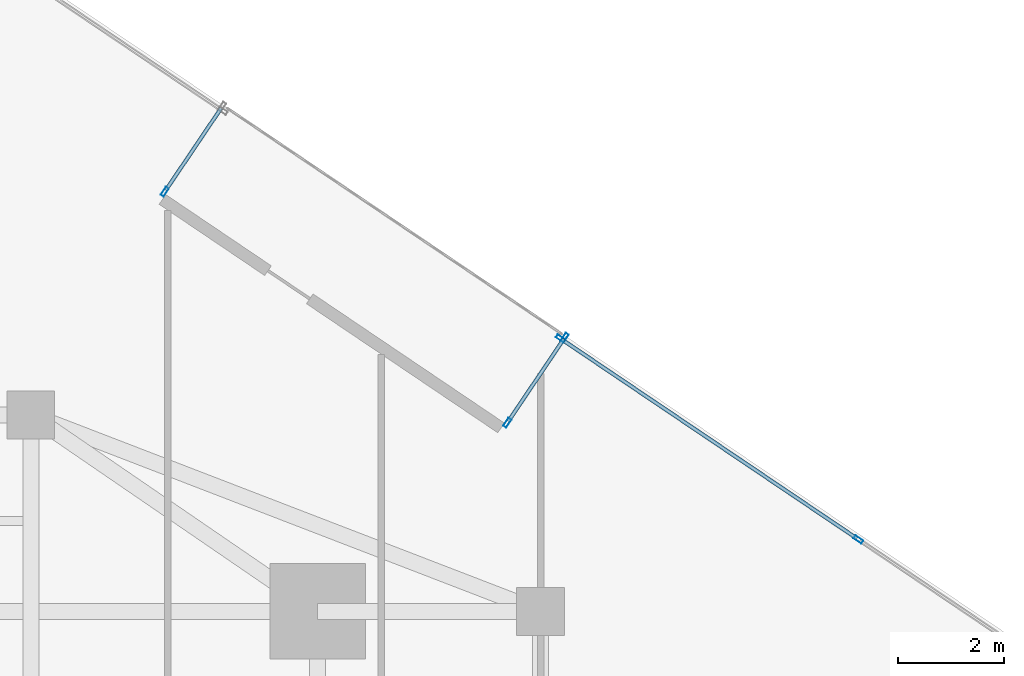
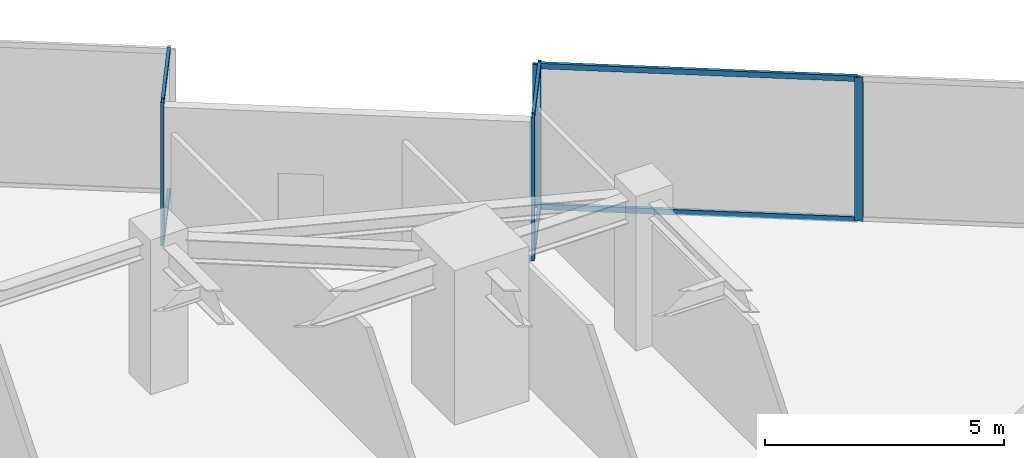
# One storey, part 19 of 27: 11 members, 3 elements without a shape of their own.
"""IFC4 building model written with IfcOpenShell, lengths in metres."""

from ifc_helpers import new_model, si_unit, direction, frame, origin, origin_2d, place, context, subcontext, project, spatial, hollow_rectangle, extrude, source, transform, mapped, material, material_profile, profile_set, type_object, type_shapes, element, aggregate, save


model = new_model("IFC4")

# Units and contexts
model_context = context("Model", 3, precision=1e-05, world=origin(), true_north=direction((0.0, 1.0)))
body_context = subcontext(model_context, "Body", "Model", "MODEL_VIEW")
ifc_project = project(units=[si_unit("LENGTHUNIT", "METRE"), si_unit("AREAUNIT", "SQUARE_METRE"), si_unit("VOLUMEUNIT", "CUBIC_METRE"), si_unit("PLANEANGLEUNIT", "RADIAN"), si_unit("MASSUNIT", "GRAM", prefix="KILO")], contexts=[model_context])

# Site, building, storey
site_placement = place(None, origin())
site = spatial("IfcSite", under=ifc_project, at=site_placement, CompositionType="ELEMENT")
building_placement = place(site_placement, origin())
building = spatial("IfcBuilding", under=site, at=building_placement, Name="Krantzveldt Concourse Tower", CompositionType="ELEMENT")
storey_placement = place(building_placement, frame((0.0, 0.0, 185.699951171875)))
storey = spatial("IfcBuildingStorey", under=building, at=storey_placement, Name="L45", CompositionType="ELEMENT", Elevation=185.699951171875)

# Curtain wall, members
ifc_material = material(Name="Anodised aluminium 6063-T6", Category="aluminium")
curtain_wall_type_1 = type_object("IfcCurtainWallType", Name="CW3", PredefinedType="USERDEFINED", material=ifc_material)
curtain_wall_1_placement = place(storey_placement, origin())
curtain_wall_1 = element("IfcCurtainWall", 1, at=curtain_wall_1_placement, inside=storey, type_object=curtain_wall_type_1, Name="CW-L45-F10", ObjectType="UNITISED CURTAIN WALL", PredefinedType="USERDEFINED")
ifc_material_profile_1 = material_profile(ifc_material, hollow_rectangle(XDim=0.070068359375, YDim=0.179931640625, WallThickness=0.0048828125, at=origin_2d()), Name="Anodised aluminium 6063-T6", Category="aluminium")
ifc_profile_set_1 = profile_set([ifc_material_profile_1], Name="Anodised aluminium 6063-T6 - ALU-MULL 180x70x5")
member_type_1 = type_object("IfcMemberType", Name="CW-MUL-180", PredefinedType="MULLION", material=ifc_profile_set_1)
shared_shape_1 = source(origin(), body_context, "Body", "SweptSolid", [
    extrude(hollow_rectangle(XDim=0.070068359375, YDim=0.179931640625, WallThickness=0.0048828125, at=origin_2d()), origin(), (0.0, 0.0, 1.0), 3.670166015625),
])
type_shapes(member_type_1, [shared_shape_1])
member_1_placement = place(storey_placement, frame((56.98388671875, 38.853759765625, 0.0), z_axis=(0.0, 0.0, 1.0), x_axis=(-0.559192760874, -0.829037668737, 0.0)))
member_1 = element("IfcMember", 2, at=member_1_placement, type_object=member_type_1, Name="CW-Z34 mullion 2", PredefinedType="MULLION", context=body_context, shape_type="MappedRepresentation", body=[
    mapped(shared_shape_1, transform((0.0, 0.0, 0.0), x_axis=(1.0, 0.0, 0.0), y_axis=(0.0, 1.0, 0.0), z_axis=(0.0, 0.0, 1.0), scale=1.0)),
])
member_2_placement = place(storey_placement, frame((51.375244140625, 42.63671875, 0.0), z_axis=(0.0, 0.0, 1.0), x_axis=(-0.559192760874, -0.829037668737, 0.0)))
member_2 = element("IfcMember", 3, at=member_2_placement, type_object=member_type_1, Name="CW-Z34 mullion 3", PredefinedType="MULLION", context=body_context, shape_type="MappedRepresentation", body=[
    mapped(shared_shape_1, transform((0.0, 0.0, 0.0), x_axis=(1.0, 0.0, 0.0), y_axis=(0.0, 1.0, 0.0), z_axis=(0.0, 0.0, 1.0), scale=1.0)),
])

curtain_wall_type_2 = type_object("IfcCurtainWallType", Name="CW6", PredefinedType="USERDEFINED", material=ifc_material)
curtain_wall_2_placement = place(storey_placement, origin())
curtain_wall_2 = element("IfcCurtainWall", 4, at=curtain_wall_2_placement, inside=storey, type_object=curtain_wall_type_2, Name="CW-L45-TR11", ObjectType="UNITISED CURTAIN WALL", PredefinedType="USERDEFINED")
member_3_placement = place(storey_placement, frame((51.45166015625, 42.651611328125, 0.0), z_axis=(0.0, 0.0, 1.0), x_axis=(0.829037359675, -0.559193219078, 0.0)))
member_3 = element("IfcMember", 5, at=member_3_placement, type_object=member_type_1, Name="CW-TERR mullion 1", PredefinedType="MULLION", context=body_context, shape_type="MappedRepresentation", body=[
    mapped(shared_shape_1, transform((0.0, 0.0, 0.0), x_axis=(1.0, 0.0, 0.0), y_axis=(0.0, 1.0, 0.0), z_axis=(0.0, 0.0, 1.0), scale=1.0)),
])
member_4_placement = place(storey_placement, frame((50.37255859375, 41.051513671875, 0.0), z_axis=(0.0, 0.0, 1.0), x_axis=(0.829037359675, -0.559193219078, 0.0)))
member_4 = element("IfcMember", 6, at=member_4_placement, type_object=member_type_1, Name="CW-TERR mullion 2", PredefinedType="MULLION", context=body_context, shape_type="MappedRepresentation", body=[
    mapped(shared_shape_1, transform((0.0, 0.0, 0.0), x_axis=(1.0, 0.0, 0.0), y_axis=(0.0, 1.0, 0.0), z_axis=(0.0, 0.0, 1.0), scale=1.0)),
])

# Curtain wall, member
curtain_wall_3_placement = place(storey_placement, origin())
curtain_wall_3 = element("IfcCurtainWall", 7, at=curtain_wall_3_placement, inside=storey, type_object=curtain_wall_type_2, Name="CW-L45-TR13", ObjectType="UNITISED CURTAIN WALL", PredefinedType="USERDEFINED")
member_5_placement = place(storey_placement, frame((43.922607421875, 45.402099609375, 0.0), z_axis=(0.0, 0.0, 1.0), x_axis=(-0.829039677631, 0.559189782554, 0.0)))
member_5 = element("IfcMember", 8, at=member_5_placement, type_object=member_type_1, Name="CW-TERR mullion 1", PredefinedType="MULLION", context=body_context, shape_type="MappedRepresentation", body=[
    mapped(shared_shape_1, transform((0.0, 0.0, 0.0), x_axis=(1.0, 0.0, 0.0), y_axis=(0.0, 1.0, 0.0), z_axis=(0.0, 0.0, 1.0), scale=1.0)),
])

# Member
ifc_material_profile_2 = material_profile(ifc_material, hollow_rectangle(XDim=0.070068359375, YDim=0.139892578125, WallThickness=0.0048828125, at=origin_2d()), Name="Anodised aluminium 6063-T6", Category="aluminium")
ifc_profile_set_2 = profile_set([ifc_material_profile_2], Name="Anodised aluminium 6063-T6 - ALU-TRAN 140x70x5")
member_type_2 = type_object("IfcMemberType", Name="CW-TRN-150", PredefinedType="USERDEFINED", material=ifc_profile_set_2)
shared_shape_2 = source(origin(), body_context, "Body", "SweptSolid", [
    extrude(hollow_rectangle(XDim=0.070068359375, YDim=0.139892578125, WallThickness=0.0048828125, at=origin_2d()), origin(), (0.0, 0.0, 1.0), 1.85986328125),
])
member_6_placement = place(storey_placement, frame((51.43212890625, 42.62255859375, 0.03515625), z_axis=(-0.559175239609, -0.829049486707, 0.0), x_axis=(0.829049486707, -0.559175239609, 0.0)))
member_6 = element("IfcMember", 9, at=member_6_placement, type_object=member_type_2, Name="CW-TERR transom 1.1", ObjectType="TRANSOM", PredefinedType="USERDEFINED", context=body_context, shape_type="MappedRepresentation", body=[
    mapped(shared_shape_2, transform((0.0, 0.0, 0.0), x_axis=(1.0, 0.0, 0.0), y_axis=(0.0, 1.0, 0.0), z_axis=(0.0, 0.0, 1.0), scale=1.0)),
])

member_7_placement = place(storey_placement, frame((51.43212890625, 42.62255859375, 3.635009765625), z_axis=(-0.559175239609, -0.829049486707, 0.0), x_axis=(0.829049486707, -0.559175239609, 0.0)))
member_7 = element("IfcMember", 10, at=member_7_placement, type_object=member_type_2, Name="CW-TERR transom 1.2", ObjectType="TRANSOM", PredefinedType="USERDEFINED", context=body_context, shape_type="MappedRepresentation", body=[
    mapped(shared_shape_2, transform((0.0, 0.0, 0.0), x_axis=(1.0, 0.0, 0.0), y_axis=(0.0, 1.0, 0.0), z_axis=(0.0, 0.0, 1.0), scale=1.0)),
])

aggregate(curtain_wall_2, [member_3, member_4, member_6, member_7])

member_8_placement = place(storey_placement, frame((43.942138671875, 45.43115234375, 0.03515625), z_axis=(0.559175239609, 0.829049486707, 0.0), x_axis=(-0.829049486707, 0.559175239609, 0.0)))
member_8 = element("IfcMember", 11, at=member_8_placement, type_object=member_type_2, Name="CW-TERR transom 1.1", ObjectType="TRANSOM", PredefinedType="USERDEFINED", context=body_context, shape_type="MappedRepresentation", body=[
    mapped(shared_shape_2, transform((0.0, 0.0, 0.0), x_axis=(1.0, 0.0, 0.0), y_axis=(0.0, 1.0, 0.0), z_axis=(0.0, 0.0, 1.0), scale=1.0)),
])

member_9_placement = place(storey_placement, frame((43.942138671875, 45.43115234375, 3.635009765625), z_axis=(0.559175239609, 0.829049486707, 0.0), x_axis=(-0.829049486707, 0.559175239609, 0.0)))
member_9 = element("IfcMember", 12, at=member_9_placement, type_object=member_type_2, Name="CW-TERR transom 1.2", ObjectType="TRANSOM", PredefinedType="USERDEFINED", context=body_context, shape_type="MappedRepresentation", body=[
    mapped(shared_shape_2, transform((0.0, 0.0, 0.0), x_axis=(1.0, 0.0, 0.0), y_axis=(0.0, 1.0, 0.0), z_axis=(0.0, 0.0, 1.0), scale=1.0)),
])

aggregate(curtain_wall_3, [member_5, member_8, member_9])

shared_shape_3 = source(origin(), body_context, "Body", "SweptSolid", [
    extrude(hollow_rectangle(XDim=0.070068359375, YDim=0.139892578125, WallThickness=0.0048828125, at=origin_2d()), origin(), (0.0, 0.0, 1.0), 6.695068359375),
])
type_shapes(member_type_2, [shared_shape_2, shared_shape_3])
member_10_placement = place(storey_placement, frame((56.954833984375, 38.87353515625, 0.03515625), z_axis=(-0.829053651382, 0.559169064891, 0.0), x_axis=(-0.559169064891, -0.829053651382, 0.0)))
member_10 = element("IfcMember", 13, at=member_10_placement, type_object=member_type_2, Name="CW-Z34 transom 2.1", ObjectType="TRANSOM", PredefinedType="USERDEFINED", context=body_context, shape_type="MappedRepresentation", body=[
    mapped(shared_shape_3, transform((0.0, 0.0, 0.0), x_axis=(1.0, 0.0, 0.0), y_axis=(0.0, 1.0, 0.0), z_axis=(0.0, 0.0, 1.0), scale=1.0)),
])

member_11_placement = place(storey_placement, frame((56.954833984375, 38.87353515625, 3.635009765625), z_axis=(-0.829053651382, 0.559169064891, 0.0), x_axis=(-0.559169064891, -0.829053651382, 0.0)))
member_11 = element("IfcMember", 14, at=member_11_placement, type_object=member_type_2, Name="CW-Z34 transom 2.2", ObjectType="TRANSOM", PredefinedType="USERDEFINED", context=body_context, shape_type="MappedRepresentation", body=[
    mapped(shared_shape_3, transform((0.0, 0.0, 0.0), x_axis=(1.0, 0.0, 0.0), y_axis=(0.0, 1.0, 0.0), z_axis=(0.0, 0.0, 1.0), scale=1.0)),
])

aggregate(curtain_wall_1, [member_1, member_2, member_10, member_11])

save(model, "model.ifc")
